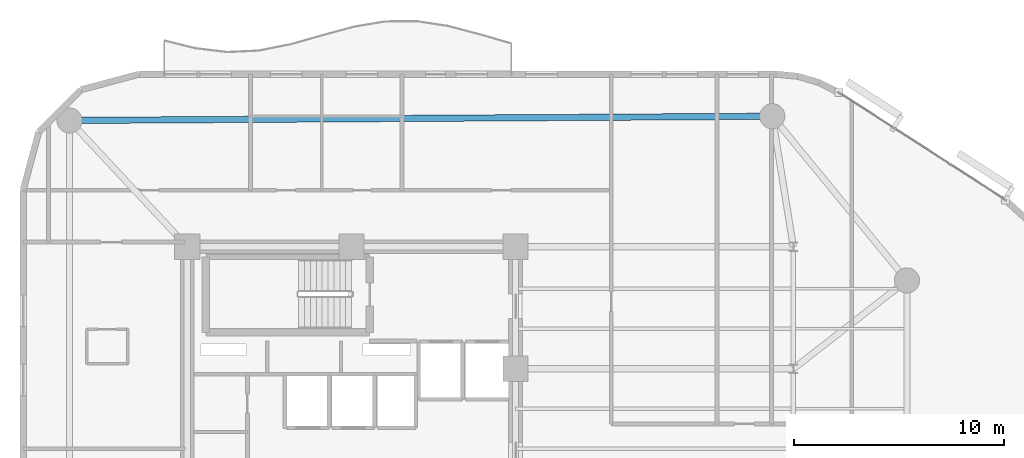
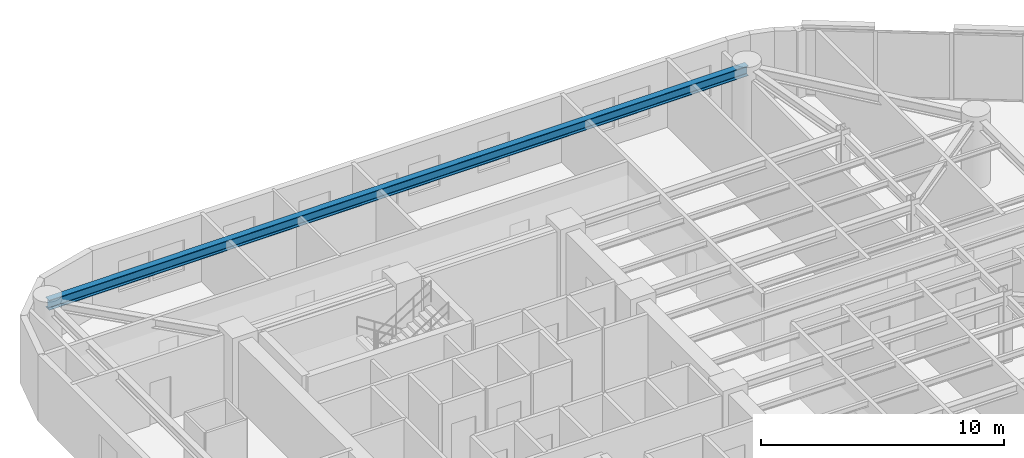
# One storey, part 7 of 15: 1 beam.
"""IFC4 building model written with IfcOpenShell, lengths in metres."""

from ifc_helpers import new_model, si_unit, direction, frame, origin, origin_2d, place, context, subcontext, project, spatial, i_section, extrude, material, material_profile, profile_set, type_object, element, save


model = new_model("IFC4")

# Units and contexts
model_context = context("Model", 3, precision=1e-05, world=origin(), true_north=direction((0.0, 1.0)))
body_context = subcontext(model_context, "Body", "Model", "MODEL_VIEW")
ifc_project = project(units=[si_unit("LENGTHUNIT", "METRE"), si_unit("AREAUNIT", "SQUARE_METRE"), si_unit("VOLUMEUNIT", "CUBIC_METRE"), si_unit("PLANEANGLEUNIT", "RADIAN"), si_unit("MASSUNIT", "GRAM", prefix="KILO")], contexts=[model_context])

# Site, building, storey
site_placement = place(None, origin())
site = spatial("IfcSite", under=ifc_project, at=site_placement, CompositionType="ELEMENT")
building_placement = place(site_placement, origin())
building = spatial("IfcBuilding", under=site, at=building_placement, Name="An Khanh Terracotta Commons", CompositionType="ELEMENT")
storey_placement = place(building_placement, frame((0.0, 0.0, 187.0)))
storey = spatial("IfcBuildingStorey", under=building, at=storey_placement, Name="L49", CompositionType="ELEMENT", Elevation=187.0)

# Beam
ifc_material = material(Name="Steel S355J2", Category="steel")
ifc_material_profile = material_profile(ifc_material, i_section(OverallWidth=0.300048828125, OverallDepth=0.5, WebThickness=0.014404296875, FlangeThickness=0.028076171875, FilletRadius=0.027099609375, at=origin_2d()), Name="HEB500")
ifc_profile_set = profile_set([ifc_material_profile], Name="Steel S355J2")
beam_type = type_object("IfcBeamType", Name="BM-HEB500", PredefinedType="BEAM", material=ifc_profile_set)
beam_placement = place(storey_placement, frame((49.39990234375, 39.800048828125, 3.110107421875), z_axis=(-0.999982080914, -0.005986472262, 0.0), x_axis=(0.005986472262, -0.999982080914, 0.0)))
element("IfcBeam", 1, at=beam_placement, inside=storey, type_object=beam_type, Name="L49 Perimeter Ring Spandrel 5", PredefinedType="BEAM", context=body_context, shape_type="SweptSolid", body=[
    extrude(i_section(OverallWidth=0.300048828125, OverallDepth=0.5, WebThickness=0.014404296875, FlangeThickness=0.028076171875, FilletRadius=0.027099609375, at=origin_2d()), origin(), (0.0, 0.0, 1.0), 33.400390625),
])

save(model, "model.ifc")
